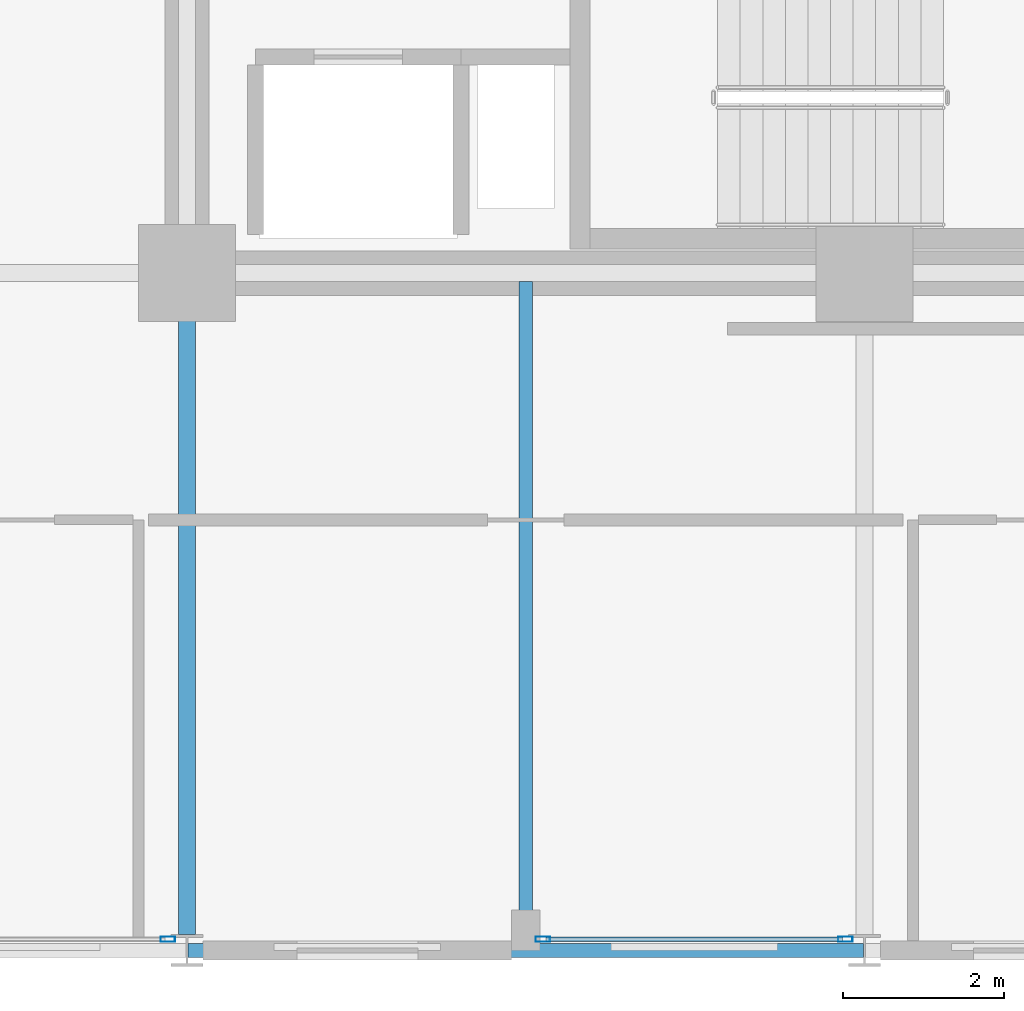
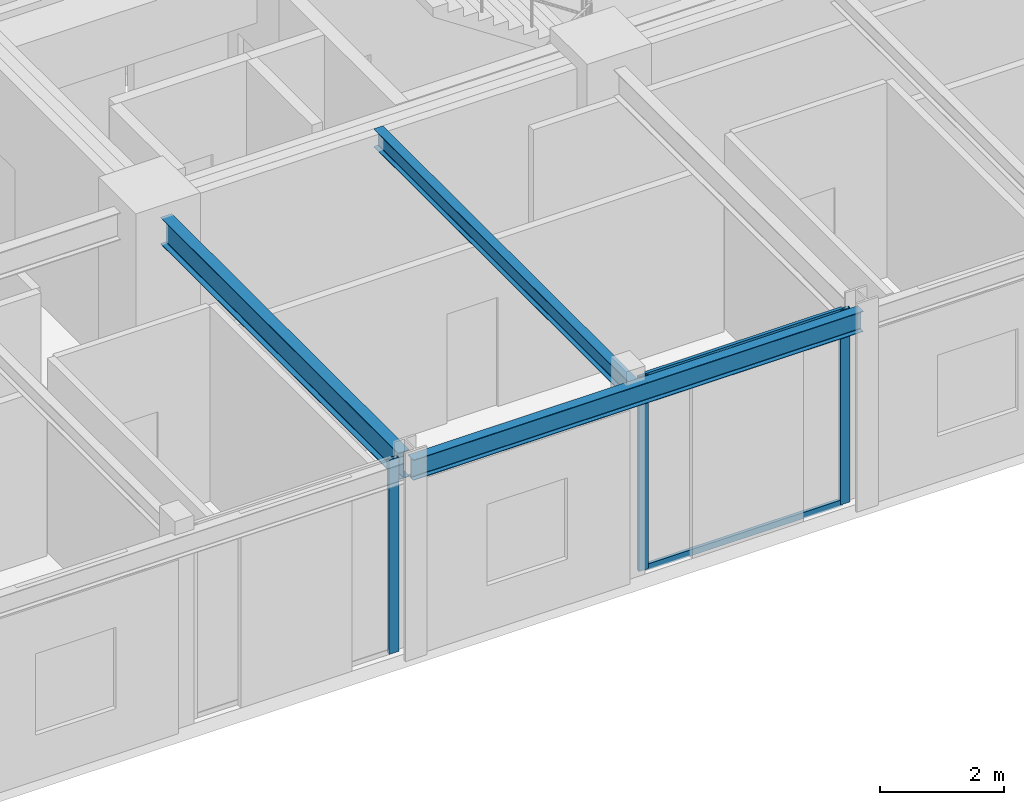
# One storey, part 8 of 38: 5 members, 3 beams, 2 elements without a shape of their own.
"""IFC4 building model written with IfcOpenShell, lengths in metres."""

from ifc_helpers import new_model, si_unit, direction, frame, origin, origin_2d, place, context, subcontext, project, spatial, hollow_rectangle, i_section, extrude, material, layer, layer_set, material_profile, profile_set, type_object, element, aggregate, save


model = new_model("IFC4")

# Units and contexts
model_context = context("Model", 3, precision=1e-05, world=origin(), true_north=direction((0.0, 1.0)))
body_context = subcontext(model_context, "Body", "Model", "MODEL_VIEW")
ifc_project = project(units=[si_unit("LENGTHUNIT", "METRE"), si_unit("AREAUNIT", "SQUARE_METRE"), si_unit("VOLUMEUNIT", "CUBIC_METRE"), si_unit("PLANEANGLEUNIT", "RADIAN"), si_unit("MASSUNIT", "GRAM", prefix="KILO")], contexts=[model_context])

# Site, building, storey
site_placement = place(None, origin())
site = spatial("IfcSite", under=ifc_project, at=site_placement, CompositionType="ELEMENT")
building_placement = place(site_placement, origin())
building = spatial("IfcBuilding", under=site, at=building_placement, Name="Nerrivon Quay Data Exchange", CompositionType="ELEMENT")
storey_placement = place(building_placement, frame((0.0, 0.0, 88.5)))
storey = spatial("IfcBuildingStorey", under=building, at=storey_placement, Name="L20", CompositionType="ELEMENT", Elevation=88.5)

# Beams
ifc_material_1 = material(Name="Steel Grade 350", Category="steel")
ifc_material_profile_1 = material_profile(ifc_material_1, i_section(OverallWidth=0.208984375, OverallDepth=0.528076171875, WebThickness=0.009521484375, FlangeThickness=0.01318359375, FilletRadius=0.013916015625, at=origin_2d()), Name="530UB82.0")
ifc_profile_set_1 = profile_set([ifc_material_profile_1], Name="Steel Grade 350")
beam_type_1 = type_object("IfcBeamType", Name="BM-G4-530UB82", PredefinedType="BEAM", material=ifc_profile_set_1)
beam_1_placement = place(storey_placement, frame((16.800048828125, 0.199951171875, 3.56103515625), z_axis=(0.0, 1.0, 0.0), x_axis=(-1.0, 0.0, 0.0)))
element("IfcBeam", 1, at=beam_1_placement, inside=storey, type_object=beam_type_1, Name="L20 NS Girder X=16.8 (0.0..8.4)", PredefinedType="BEAM", context=body_context, shape_type="SweptSolid", body=[
    extrude(i_section(OverallWidth=0.208984375, OverallDepth=0.528076171875, WebThickness=0.009521484375, FlangeThickness=0.01318359375, FilletRadius=0.013916015625, at=origin_2d()), origin(), (0.0, 0.0, 1.0), 7.66015625),
])
ifc_material_profile_2 = material_profile(ifc_material_1, i_section(OverallWidth=0.1708984375, OverallDepth=0.35595703125, WebThickness=0.00732421875, FlangeThickness=0.011474609375, FilletRadius=0.011474609375, at=origin_2d()), Name="360UB50.7")
ifc_profile_set_2 = profile_set([ifc_material_profile_2], Name="Steel Grade 350")
beam_type_2 = type_object("IfcBeamType", Name="BM-J4-360UB51", PredefinedType="JOIST", material=ifc_profile_set_2)
beam_2_placement = place(storey_placement, frame((21.0, 0.089111328125, 3.64697265625), z_axis=(0.0, 1.0, 0.0), x_axis=(-1.0, 0.0, 0.0)))
element("IfcBeam", 2, at=beam_2_placement, inside=storey, type_object=beam_type_2, Name="L20 Secondary Joist X=21.0 (0.0..8.4)", PredefinedType="JOIST", context=body_context, shape_type="SweptSolid", body=[
    extrude(i_section(OverallWidth=0.1708984375, OverallDepth=0.35595703125, WebThickness=0.00732421875, FlangeThickness=0.011474609375, FilletRadius=0.011474609375, at=origin_2d()), origin(), (0.0, 0.0, 1.0), 8.206298828125),
])
ifc_material_profile_3 = material_profile(ifc_material_1, i_section(OverallWidth=0.177978515625, OverallDepth=0.403076171875, WebThickness=0.007568359375, FlangeThickness=0.010986328125, FilletRadius=0.011474609375, at=origin_2d()), Name="410UB53.7")
ifc_profile_set_3 = profile_set([ifc_material_profile_3], Name="Steel Grade 350")
beam_type_3 = type_object("IfcBeamType", Name="BM-SP2-410UB54", PredefinedType="SPANDREL", material=ifc_profile_set_3)
beam_3_placement = place(storey_placement, frame((16.8125, 0.0, 3.62353515625), z_axis=(1.0, 0.0, 0.0), x_axis=(0.0, 1.0, 0.0)))
element("IfcBeam", 3, at=beam_3_placement, inside=storey, type_object=beam_type_3, Name="L20 EW Girder Y=0.0 (16.8..25.2)", PredefinedType="SPANDREL", context=body_context, shape_type="SweptSolid", body=[
    extrude(i_section(OverallWidth=0.177978515625, OverallDepth=0.403076171875, WebThickness=0.007568359375, FlangeThickness=0.010986328125, FilletRadius=0.011474609375, at=origin_2d()), origin(), (0.0, 0.0, 1.0), 8.375),
])

# Curtain wall, members
ifc_material_2 = material(Name="Anodised aluminium 6063-T6", Category="aluminium")
ifc_layer = layer(ifc_material_2, 0.2099609375)
ifc_layer_set = layer_set([ifc_layer], Name="Anodised aluminium 6063-T6")
curtain_wall_type = type_object("IfcCurtainWallType", Name="CW-SYS-02", PredefinedType="NOTDEFINED", material=ifc_layer_set)
curtain_wall_1_placement = place(storey_placement, origin())
curtain_wall_1 = element("IfcCurtainWall", 4, at=curtain_wall_1_placement, inside=storey, type_object=curtain_wall_type, Name="L20 Unitised Curtain Wall 10", PredefinedType="NOTDEFINED")
ifc_material_profile_4 = material_profile(ifc_material_2, hollow_rectangle(XDim=0.06494140625, YDim=0.179931640625, WallThickness=0.00341796875, at=origin_2d()), Name="ALU-MULL-180x65")
ifc_profile_set_4 = profile_set([ifc_material_profile_4], Name="Anodised aluminium 6063-T6")
member_type_1 = type_object("IfcMemberType", Name="CWM-180x65", PredefinedType="MULLION", material=ifc_profile_set_4)
member_1_placement = place(storey_placement, frame((24.96240234375, 0.139892578125, 0.0), z_axis=(0.0, 0.0, 1.0), x_axis=(0.0, -1.0, 0.0)))
member_1 = element("IfcMember", 5, at=member_1_placement, type_object=member_type_1, Name="CW02 mullion 1", PredefinedType="MULLION", context=body_context, shape_type="SweptSolid", body=[
    extrude(hollow_rectangle(XDim=0.06494140625, YDim=0.179931640625, WallThickness=0.00341796875, at=origin_2d()), origin(), (0.0, 0.0, 1.0), 3.824951171875),
])
member_2_placement = place(storey_placement, frame((21.21240234375, 0.139892578125, 0.0), z_axis=(0.0, 0.0, 1.0), x_axis=(0.0, -1.0, 0.0)))
member_2 = element("IfcMember", 6, at=member_2_placement, type_object=member_type_1, Name="CW02 mullion 2", PredefinedType="MULLION", context=body_context, shape_type="SweptSolid", body=[
    extrude(hollow_rectangle(XDim=0.06494140625, YDim=0.179931640625, WallThickness=0.00341796875, at=origin_2d()), origin(), (0.0, 0.0, 1.0), 3.824951171875),
])

# Curtain wall, member
curtain_wall_2_placement = place(storey_placement, origin())
curtain_wall_2 = element("IfcCurtainWall", 7, at=curtain_wall_2_placement, inside=storey, type_object=curtain_wall_type, Name="L20 Unitised Curtain Wall 12", PredefinedType="NOTDEFINED")
member_3_placement = place(storey_placement, frame((16.5625, 0.139892578125, 0.0), z_axis=(0.0, 0.0, 1.0), x_axis=(0.0, -1.0, 0.0)))
member_3 = element("IfcMember", 8, at=member_3_placement, type_object=member_type_1, Name="CW02 mullion 1", PredefinedType="MULLION", context=body_context, shape_type="SweptSolid", body=[
    extrude(hollow_rectangle(XDim=0.06494140625, YDim=0.179931640625, WallThickness=0.00341796875, at=origin_2d()), origin(), (0.0, 0.0, 1.0), 3.824951171875),
])
aggregate(curtain_wall_2, [member_3])

# Member
ifc_material_profile_5 = material_profile(ifc_material_2, hollow_rectangle(XDim=0.06005859375, YDim=0.1201171875, WallThickness=0.003173828125, at=origin_2d()), Name="ALU-TRAN-120x60")
ifc_profile_set_5 = profile_set([ifc_material_profile_5], Name="Anodised aluminium 6063-T6")
member_type_2 = type_object("IfcMemberType", Name="CWT-120x60", PredefinedType="USERDEFINED", material=ifc_profile_set_5)
member_4_placement = place(storey_placement, frame((24.925048828125, 0.139892578125, 0.032470703125), z_axis=(-1.0, 0.0, 0.0), x_axis=(0.0, -1.0, 0.0)))
member_4 = element("IfcMember", 9, at=member_4_placement, type_object=member_type_2, Name="CW02 transom 1.1", ObjectType="TRANSOM", PredefinedType="USERDEFINED", context=body_context, shape_type="SweptSolid", body=[
    extrude(hollow_rectangle(XDim=0.06005859375, YDim=0.1201171875, WallThickness=0.003173828125, at=origin_2d()), origin(), (0.0, 0.0, 1.0), 3.675048828125),
])

member_5_placement = place(storey_placement, frame((24.925048828125, 0.139892578125, 3.79248046875), z_axis=(-1.0, 0.0, 0.0), x_axis=(0.0, -1.0, 0.0)))
member_5 = element("IfcMember", 10, at=member_5_placement, type_object=member_type_2, Name="CW02 transom 1.2", ObjectType="TRANSOM", PredefinedType="USERDEFINED", context=body_context, shape_type="SweptSolid", body=[
    extrude(hollow_rectangle(XDim=0.06005859375, YDim=0.1201171875, WallThickness=0.003173828125, at=origin_2d()), origin(), (0.0, 0.0, 1.0), 3.675048828125),
])

aggregate(curtain_wall_1, [member_1, member_2, member_4, member_5])

save(model, "model.ifc")
